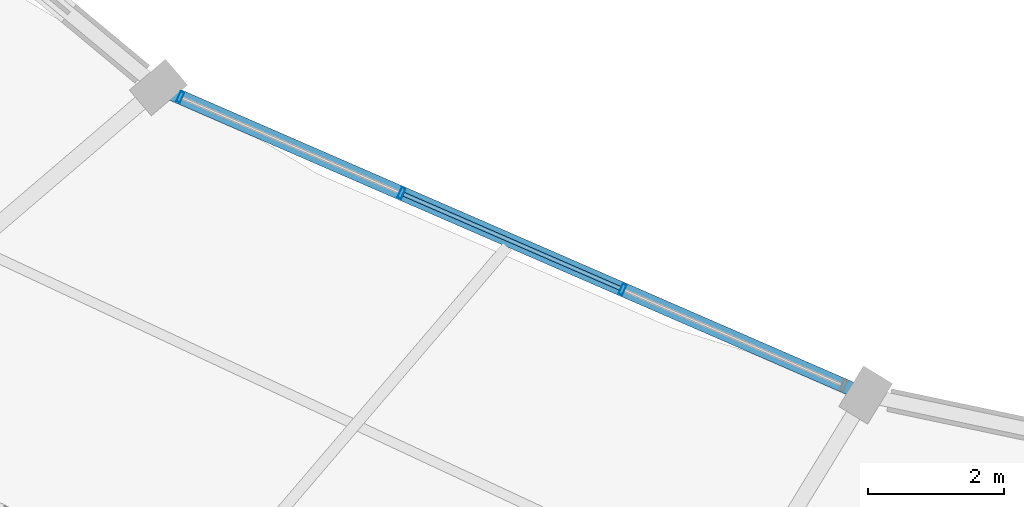
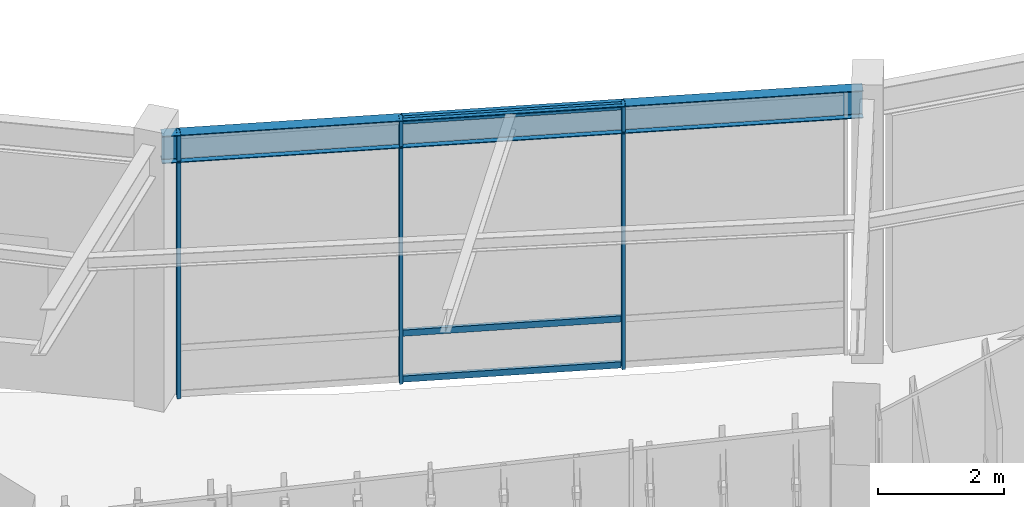
# One storey, part 45 of 157: 6 members, 1 beam, 1 element without a shape of its own.
"""IFC4 building model written with IfcOpenShell, lengths in metres."""

from ifc_helpers import new_model, si_unit, direction, frame, origin, origin_2d, place, context, subcontext, project, spatial, hollow_rectangle, i_section, extrude, material, material_profile, profile_set, type_object, element, aggregate, save


model = new_model("IFC4")

# Units and contexts
model_context = context("Model", 3, precision=1e-05, world=origin(), true_north=direction((0.0, 1.0)))
body_context = subcontext(model_context, "Body", "Model", "MODEL_VIEW")
ifc_project = project(units=[si_unit("LENGTHUNIT", "METRE"), si_unit("AREAUNIT", "SQUARE_METRE"), si_unit("VOLUMEUNIT", "CUBIC_METRE"), si_unit("PLANEANGLEUNIT", "RADIAN"), si_unit("MASSUNIT", "GRAM", prefix="KILO"), si_unit("THERMODYNAMICTEMPERATUREUNIT", "KELVIN"), si_unit("POWERUNIT", "WATT")], contexts=[model_context])

# Site, building, storey
site_placement = place(None, origin())
site = spatial("IfcSite", under=ifc_project, at=site_placement, CompositionType="ELEMENT")
building_placement = place(site_placement, origin())
building = spatial("IfcBuilding", under=site, at=building_placement, Name="Darbajah Civic Hall", CompositionType="ELEMENT")
storey_placement = place(building_placement, origin())
storey = spatial("IfcBuildingStorey", under=building, at=storey_placement, Name="L00", CompositionType="ELEMENT", Elevation=0.0)

# Curtain wall, members
ifc_material_1 = material(Name="Anodised Bronze Aluminium and Low-E Glazing", Category="aluminium")
curtain_wall_type = type_object("IfcCurtainWallType", Name="Unitised Curtain Wall CW-01 10700x5100", PredefinedType="USERDEFINED", material=ifc_material_1)
curtain_wall_placement = place(storey_placement, origin())
curtain_wall = element("IfcCurtainWall", 1, at=curtain_wall_placement, inside=storey, type_object=curtain_wall_type, Name="L00 unitised curtain wall CW-V1I-L00-12", ObjectType="UNITISED CURTAIN WALL", PredefinedType="USERDEFINED")
ifc_material_2 = material(Name="Anodised Bronze Aluminium", Category="aluminium")
ifc_material_profile_1 = material_profile(ifc_material_2, hollow_rectangle(XDim=0.06005859375, YDim=0.159912109375, WallThickness=0.00341796875, at=origin_2d()), Name="ALU MULLION 60x160")
ifc_profile_set_1 = profile_set([ifc_material_profile_1], Name="Anodised Bronze Aluminium")
member_type_1 = type_object("IfcMemberType", Name="ALU MULLION 60x160", PredefinedType="MULLION", material=ifc_profile_set_1)
member_1_placement = place(storey_placement, frame((56.116943359375, 75.177001953125, 0.0), z_axis=(0.0, 0.0, 1.0), x_axis=(0.917060074385, -0.398749068925, 0.0)))
member_1 = element("IfcMember", 2, at=member_1_placement, type_object=member_type_1, Name="CW-V1I-L00-12 mullion 1", PredefinedType="MULLION", context=body_context, shape_type="SweptSolid", body=[
    extrude(hollow_rectangle(XDim=0.06005859375, YDim=0.159912109375, WallThickness=0.00341796875, at=origin_2d()), origin(), (0.0, 0.0, 1.0), 5.1201171875),
])
member_2_placement = place(storey_placement, frame((59.375244140625, 73.760009765625, 0.0), z_axis=(0.0, 0.0, 1.0), x_axis=(0.917060074385, -0.398749068925, 0.0)))
member_2 = element("IfcMember", 3, at=member_2_placement, type_object=member_type_1, Name="CW-V1I-L00-12 mullion 2", PredefinedType="MULLION", context=body_context, shape_type="SweptSolid", body=[
    extrude(hollow_rectangle(XDim=0.06005859375, YDim=0.159912109375, WallThickness=0.00341796875, at=origin_2d()), origin(), (0.0, 0.0, 1.0), 5.1201171875),
])
member_3_placement = place(storey_placement, frame((62.633544921875, 72.34326171875, 0.0), z_axis=(0.0, 0.0, 1.0), x_axis=(0.917060074385, -0.398749068925, 0.0)))
member_3 = element("IfcMember", 4, at=member_3_placement, type_object=member_type_1, Name="CW-V1I-L00-12 mullion 3", PredefinedType="MULLION", context=body_context, shape_type="SweptSolid", body=[
    extrude(hollow_rectangle(XDim=0.06005859375, YDim=0.159912109375, WallThickness=0.00341796875, at=origin_2d()), origin(), (0.0, 0.0, 1.0), 5.1201171875),
])
ifc_material_profile_2 = material_profile(ifc_material_2, hollow_rectangle(XDim=0.06005859375, YDim=0.1201171875, WallThickness=0.003173828125, at=origin_2d()), Name="ALU TRANSOM 60x120")
ifc_profile_set_2 = profile_set([ifc_material_profile_2], Name="Anodised Bronze Aluminium")
member_type_2 = type_object("IfcMemberType", Name="ALU TRANSOM 60x120", PredefinedType="USERDEFINED", material=ifc_profile_set_2)
member_4_placement = place(storey_placement, frame((59.407470703125, 73.74609375, 0.06005859375), z_axis=(0.917065598242, -0.398736364684, 0.0), x_axis=(0.398736364684, 0.917065598242, 0.0)))
member_4 = element("IfcMember", 5, at=member_4_placement, type_object=member_type_2, Name="CW-V1I-L00-12 transom 2.1", ObjectType="TRANSOM", PredefinedType="USERDEFINED", context=body_context, shape_type="SweptSolid", body=[
    extrude(hollow_rectangle(XDim=0.06005859375, YDim=0.1201171875, WallThickness=0.003173828125, at=origin_2d()), origin(), (0.0, 0.0, 1.0), 3.482666015625),
])
member_5_placement = place(storey_placement, frame((59.407470703125, 73.74609375, 0.949951171875), z_axis=(0.917065598242, -0.398736364684, 0.0), x_axis=(0.398736364684, 0.917065598242, 0.0)))
member_5 = element("IfcMember", 6, at=member_5_placement, type_object=member_type_2, Name="CW-V1I-L00-12 transom 2.2", ObjectType="TRANSOM", PredefinedType="USERDEFINED", context=body_context, shape_type="SweptSolid", body=[
    extrude(hollow_rectangle(XDim=0.06005859375, YDim=0.1201171875, WallThickness=0.003173828125, at=origin_2d()), origin(), (0.0, 0.0, 1.0), 3.482666015625),
])
member_6_placement = place(storey_placement, frame((59.407470703125, 73.74609375, 5.06005859375), z_axis=(0.917065598242, -0.398736364684, 0.0), x_axis=(0.398736364684, 0.917065598242, 0.0)))
member_6 = element("IfcMember", 7, at=member_6_placement, type_object=member_type_2, Name="CW-V1I-L00-12 transom 2.3", ObjectType="TRANSOM", PredefinedType="USERDEFINED", context=body_context, shape_type="SweptSolid", body=[
    extrude(hollow_rectangle(XDim=0.06005859375, YDim=0.1201171875, WallThickness=0.003173828125, at=origin_2d()), origin(), (0.0, 0.0, 1.0), 3.482666015625),
])
aggregate(curtain_wall, [member_1, member_2, member_3, member_4, member_5, member_6])

# Beam
ifc_material_3 = material(Name="Steel S355JR", Category="steel")
ifc_material_profile_3 = material_profile(ifc_material_3, i_section(OverallWidth=0.209228515625, OverallDepth=0.533203125, WebThickness=0.010009765625, FlangeThickness=0.015625, FilletRadius=0.0126953125, at=origin_2d()), Name="UB 533x210x92")
ifc_profile_set_3 = profile_set([ifc_material_profile_3], Name="Steel S355JR")
beam_type = type_object("IfcBeamType", Name="UB 533x210x92", PredefinedType="BEAM", material=ifc_profile_set_3)
beam_placement = place(storey_placement, frame((55.86767578125, 75.285400390625, 4.853515625), z_axis=(0.917051345793, -0.398769142712, 0.0), x_axis=(0.398769142712, 0.917051345793, 0.0)))
element("IfcBeam", 8, at=beam_placement, inside=storey, type_object=beam_type, Name="L00 beam SB-533", PredefinedType="BEAM", context=body_context, shape_type="SweptSolid", body=[
    extrude(i_section(OverallWidth=0.209228515625, OverallDepth=0.533203125, WebThickness=0.010009765625, FlangeThickness=0.015625, FilletRadius=0.0126953125, at=origin_2d()), origin(), (0.0, 0.0, 1.0), 11.20263671875),
])

save(model, "model.ifc")
